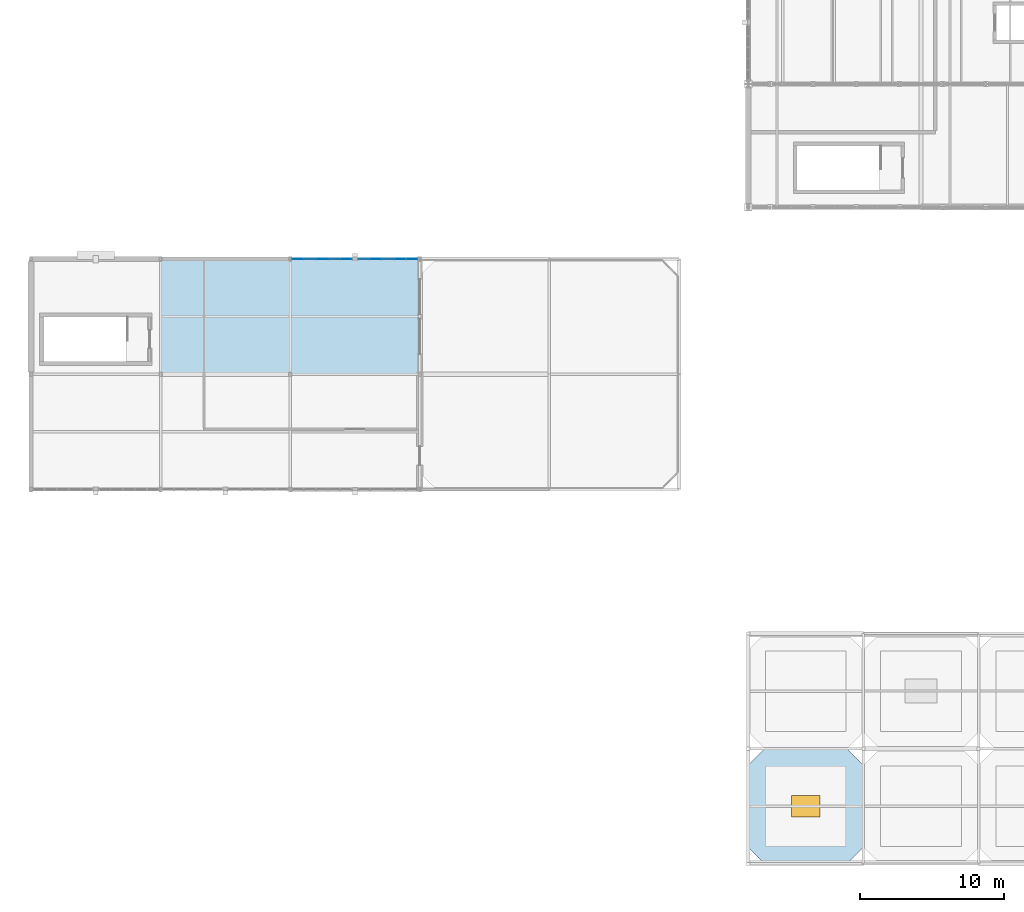
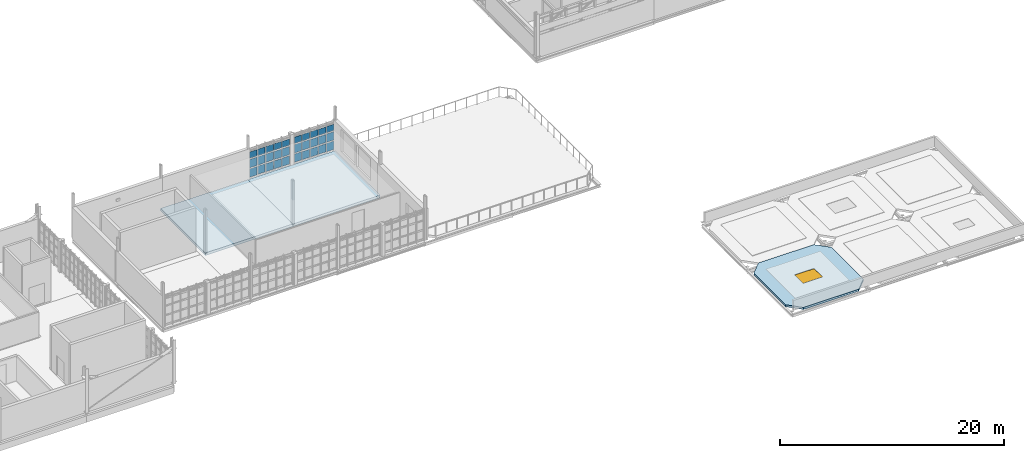
# One storey, part 94 of 128: 30 plates, 3 slabs, 1 window, 1 opening, 2 elements without a shape of their own.
"""IFC4 building model written with IfcOpenShell, lengths in metres."""

import ifcopenshell
import ifcopenshell.guid

model = None  # the IFC model being written
_history = None  # IfcOwnerHistory: only IFC2X3 demands one
_inside = {}  # id of a spatial element -> (the spatial element, [elements in it])
_under = {}  # id of a project, library or spatial element -> (it, [spatial elements below it])
_declared = {}  # id of a project -> (the project, [libraries it declares])
_typed = {}  # id of a type object -> (the type object, [elements of that type])
_made_of = {}  # id of a material, layer set ... -> (it, [elements and type objects made of it])


def new_model(schema):
    """Start an empty IFC model of exactly this schema.

    Asked for "IFC4X3", IfcOpenShell would pick the latest addendum, in which some entities
    have other attributes; the version numbers below select the first issue.
    IFC2X3 requires an IfcOwnerHistory on every rooted entity: one is made here for all.
    """
    global model, _history
    if schema == "IFC4X3":
        model = ifcopenshell.file(schema_version=(4, 3, 0, 0))
    else:
        model = ifcopenshell.file(schema=schema)
    _inside.clear()
    _under.clear()
    _declared.clear()
    _typed.clear()
    _made_of.clear()
    _history = None
    if model.schema == "IFC2X3":
        org = make("IfcOrganization", Name="unknown")
        user = make(
            "IfcPersonAndOrganization",
            ThePerson=make("IfcPerson", FamilyName="unknown"),
            TheOrganization=org,
        )
        app = make(
            "IfcApplication",
            ApplicationDeveloper=org,
            Version="unknown",
            ApplicationFullName="unknown",
            ApplicationIdentifier="unknown",
        )
        _history = make(
            "IfcOwnerHistory",
            OwningUser=user,
            OwningApplication=app,
            ChangeAction="ADDED",
            CreationDate=0,
        )
    return model


def make(cls, **values):
    """One entity of the class cls with the attributes given. An attribute that is None is left unset."""
    return model.create_entity(
        cls, **{name: value for name, value in values.items() if value is not None}
    )


def rooted(cls, **values):
    """An entity with a GlobalId (a new one), such as an element, a storey or a relation."""
    return make(cls, GlobalId=ifcopenshell.guid.new(), OwnerHistory=_history, **values)


def si_unit(unit_type, name, prefix=None):
    """IfcSIUnit, for example si_unit("LENGTHUNIT", "METRE", prefix="MILLI")."""
    return make("IfcSIUnit", UnitType=unit_type, Prefix=prefix, Name=name)


def assignment(units):
    """IfcUnitAssignment: the units of a project."""
    return None if units is None else make("IfcUnitAssignment", Units=units)


def point(xyz):
    """IfcCartesianPoint."""
    return None if xyz is None else make("IfcCartesianPoint", Coordinates=xyz)


def direction(xyz):
    """IfcDirection."""
    return None if xyz is None else make("IfcDirection", DirectionRatios=xyz)


def frame(location, z_axis=None, x_axis=None):
    """IfcAxis2Placement3D, a coordinate frame: its origin and axes. An axis left out is left unset."""
    return make(
        "IfcAxis2Placement3D",
        Location=point(location),
        Axis=direction(z_axis),
        RefDirection=direction(x_axis),
    )


def frame_2d(location, x_axis=None):
    """IfcAxis2Placement2D, a coordinate frame in the plane: its origin and x axis."""
    return make(
        "IfcAxis2Placement2D", Location=point(location), RefDirection=direction(x_axis)
    )


def origin():
    """The frame at (0, 0, 0) with its axes left unset."""
    return frame((0.0, 0.0, 0.0))


def origin_2d():
    """The frame at (0, 0) in the plane with its x axis left unset."""
    return frame_2d((0.0, 0.0))


def place(relative_to, where):
    """IfcLocalPlacement: puts the frame where relative to a parent placement (None: the world)."""
    return make(
        "IfcLocalPlacement", PlacementRelTo=relative_to, RelativePlacement=where
    )


def context(
    kind, dimensions, precision=None, world=None, true_north=None, identifier=None
):
    """IfcGeometricRepresentationContext, for example the 3D "Model" context."""
    return make(
        "IfcGeometricRepresentationContext",
        ContextIdentifier=identifier,
        ContextType=kind,
        CoordinateSpaceDimension=dimensions,
        Precision=precision,
        WorldCoordinateSystem=world,
        TrueNorth=true_north,
    )


def subcontext(parent, identifier, kind, view, scale=None):
    """IfcGeometricRepresentationSubContext, for example "Body" below "Model"."""
    return make(
        "IfcGeometricRepresentationSubContext",
        ContextIdentifier=identifier,
        ContextType=kind,
        ParentContext=parent,
        TargetScale=scale,
        TargetView=view,
    )


def project(units=None, contexts=None):
    """IfcProject with its units and contexts."""
    return rooted(
        "IfcProject",
        Name="project",
        RepresentationContexts=contexts,
        UnitsInContext=assignment(units),
    )


def spatial(cls, under=None, at=None, **own):
    """A site, building, storey or space (cls), placed at a placement, below another one or the project."""
    s = rooted(cls, ObjectPlacement=at, **own)
    if under is not None:
        _under.setdefault(under.id(), (under, []))[1].append(s)
    return s


def polyline(points):
    """IfcPolyline through the points."""
    return make("IfcPolyline", Points=[point(p) for p in points])


def profile(cls, at=None, kind="AREA", **sizes):
    """A parametric profile (cls). Its sizes go by their IFC names, for example OverallWidth=200.0."""
    return make(cls, ProfileType=kind, Position=at, **sizes)


def rectangle(**sizes):
    """IfcRectangleProfileDef."""
    return profile("IfcRectangleProfileDef", **sizes)


def outline(outer, holes=None, kind="AREA"):
    """IfcArbitraryClosedProfileDef: a profile drawn as a closed curve; with holes, ...WithVoids."""
    if holes is None:
        return make("IfcArbitraryClosedProfileDef", ProfileType=kind, OuterCurve=outer)
    return make(
        "IfcArbitraryProfileDefWithVoids",
        ProfileType=kind,
        OuterCurve=outer,
        InnerCurves=holes,
    )


def extrude(swept, where, along, depth):
    """IfcExtrudedAreaSolid: the profile swept, set in the frame where, extruded along a direction by depth."""
    return make(
        "IfcExtrudedAreaSolid",
        SweptArea=swept,
        Position=where,
        ExtrudedDirection=direction(along),
        Depth=depth,
    )


def shape(context_of_items, identifier, shape_type, items):
    """IfcShapeRepresentation: the items that make up one representation, for example the "Body"."""
    return make(
        "IfcShapeRepresentation",
        ContextOfItems=context_of_items,
        RepresentationIdentifier=identifier,
        RepresentationType=shape_type,
        Items=items,
    )


def material(Name=None, Category=None):
    """IfcMaterial."""
    return make("IfcMaterial", Name=Name, Category=Category)


def layer(
    of_material, thickness, ventilated=None, Name=None, Category=None, Priority=None
):
    """IfcMaterialLayer: one layer of a wall or slab, of a material (None: an air gap)."""
    return make(
        "IfcMaterialLayer",
        Material=of_material,
        LayerThickness=thickness,
        IsVentilated=ventilated,
        Name=Name,
        Category=Category,
        Priority=Priority,
    )


def layer_set(layers, Name=None):
    """IfcMaterialLayerSet."""
    return make("IfcMaterialLayerSet", MaterialLayers=layers, LayerSetName=Name)


def made_of(thing, what):
    """Note that an element or type object is made of a material, layer set ...; save() writes the relation."""
    if what is not None:
        _made_of.setdefault(what.id(), (what, []))[1].append(thing)
    return thing


def type_object(cls, material=None, **own):
    """A type object (cls), such as IfcWallType, which elements share."""
    return made_of(rooted(cls, **own), material)


def element(
    cls,
    number,
    at=None,
    inside=None,
    cuts=None,
    type_object=None,
    material=None,
    context=None,
    identifier="Body",
    shape_type=None,
    held_by="IfcProductDefinitionShape",
    body=None,
    shapes=None,
    **own,
):
    """One element of the class cls, such as IfcWall. Its Tag is "e" and its number.

    at: its placement. inside: the storey or other place that contains it. cuts: it is an
    opening in that element (IfcRelVoidsElement). A single representation is given by context,
    identifier, shape_type and body (its items); several are given by shapes. held_by: the class
    of the entity that holds the representations. save() writes the other relations.
    """
    e = rooted(cls, Tag="e%d" % number, ObjectPlacement=at, **own)
    if body is not None:
        shapes = [shape(context, identifier, shape_type, body)]
    if shapes is not None:
        e.Representation = make(held_by, Representations=shapes)
    if inside is not None:
        _inside.setdefault(inside.id(), (inside, []))[1].append(e)
    if cuts is not None:
        rooted(
            "IfcRelVoidsElement", RelatingBuildingElement=cuts, RelatedOpeningElement=e
        )
    if type_object is not None:
        _typed.setdefault(type_object.id(), (type_object, []))[1].append(e)
    return made_of(e, material)


def fill(opening, filler):
    """IfcRelFillsElement: the door or window that sits in an opening."""
    return rooted(
        "IfcRelFillsElement",
        RelatingOpeningElement=opening,
        RelatedBuildingElement=filler,
    )


def aggregate(whole, parts):
    """IfcRelAggregates: a whole, such as a stair, and the parts it consists of."""
    return rooted("IfcRelAggregates", RelatingObject=whole, RelatedObjects=parts)


def save(model, path):
    """Write the relations noted so far, then the file.

    IfcRelAggregates (storeys below a building ...), IfcRelContainedInSpatialStructure (elements
    in a storey), IfcRelDefinesByType, IfcRelAssociatesMaterial and IfcRelDeclares: one each for
    every whole, place, type object, material and project.
    """
    for whole, parts in _under.values():
        aggregate(whole, parts)
    for where, things in _inside.values():
        rooted(
            "IfcRelContainedInSpatialStructure",
            RelatedElements=things,
            RelatingStructure=where,
        )
    for kind, things in _typed.values():
        rooted("IfcRelDefinesByType", RelatedObjects=things, RelatingType=kind)
    for what, things in _made_of.values():
        rooted("IfcRelAssociatesMaterial", RelatedObjects=things, RelatingMaterial=what)
    for by, libraries in _declared.values():
        rooted("IfcRelDeclares", RelatingContext=by, RelatedDefinitions=libraries)
    model.write(path)


model = new_model("IFC4")

# Units and contexts
model_context = context("Model", 3, precision=1e-05, world=origin(), true_north=direction((0.0, 1.0)))
body_context = subcontext(model_context, "Body", "Model", "MODEL_VIEW")
ifc_project = project(units=[si_unit("LENGTHUNIT", "METRE"), si_unit("AREAUNIT", "SQUARE_METRE"), si_unit("VOLUMEUNIT", "CUBIC_METRE"), si_unit("PLANEANGLEUNIT", "RADIAN"), si_unit("MASSUNIT", "GRAM", prefix="KILO")], contexts=[model_context])

# Site, building, storey
site_placement = place(None, origin())
site = spatial("IfcSite", under=ifc_project, at=site_placement, CompositionType="ELEMENT")
building_placement = place(site_placement, origin())
building = spatial("IfcBuilding", under=site, at=building_placement, Name="Serraforn Aerial Cableway Station", CompositionType="ELEMENT")
storey_placement = place(building_placement, frame((0.0, 0.0, 9.0)))
storey = spatial("IfcBuildingStorey", under=building, at=storey_placement, Name="L02", CompositionType="ELEMENT", Elevation=9.0)

# Curtain wall, plate
ifc_material_1 = material(Name="Anodised bronze unitised curtain wall")
curtain_wall_type_1 = type_object("IfcCurtainWallType", Name="CW-SYS-2", PredefinedType="USERDEFINED", material=ifc_material_1)
curtain_wall_1_placement = place(storey_placement, origin())
curtain_wall_1 = element("IfcCurtainWall", 1, at=curtain_wall_1_placement, inside=storey, type_object=curtain_wall_type_1, Name="Unitised Curtain Wall CW-EL-L02-N3B", ObjectType="UNITISED CURTAIN WALL", PredefinedType="USERDEFINED")
ifc_material_2 = material(Name="Solar-control low-E double glazing", Category="glass")
ifc_layer_1 = layer(ifc_material_2, 0.02587890625)
ifc_layer_set_1 = layer_set([ifc_layer_1], Name="Solar-control low-E double glazing")
plate_type_1 = type_object("IfcPlateType", Name="CW-GLZ-1", PredefinedType="CURTAIN_PANEL", material=ifc_layer_set_1)
plate_1_placement = place(storey_placement, frame((112.72900390625, 42.0, 2.25439453125), z_axis=(0.0, 0.0, 1.0), x_axis=(1.0, 0.0, 0.0)))
plate_1 = element("IfcPlate", 2, at=plate_1_placement, type_object=plate_type_1, Name="Curtain Wall Panel CW-EL-L02-N3B-P5-3", PredefinedType="CURTAIN_PANEL", context=body_context, shape_type="SweptSolid", body=[
    extrude(rectangle(XDim=0.755859375, YDim=0.02587890625, at=origin_2d()), origin(), (0.0, 0.0, 1.0), 0.682373046875),
])

# Curtain wall, plates
curtain_wall_type_2 = type_object("IfcCurtainWallType", Name="CW-SYS-1", PredefinedType="USERDEFINED", material=ifc_material_1)
curtain_wall_2_placement = place(storey_placement, origin())
curtain_wall_2 = element("IfcCurtainWall", 3, at=curtain_wall_2_placement, inside=storey, type_object=curtain_wall_type_2, Name="Unitised Curtain Wall CW-EL-L02-N3A", ObjectType="UNITISED CURTAIN WALL", PredefinedType="USERDEFINED")
ifc_layer_2 = layer(ifc_material_2, 0.028076171875)
ifc_layer_set_2 = layer_set([ifc_layer_2], Name="Solar-control low-E double glazing")
plate_type_2 = type_object("IfcPlateType", Name="CW-GLZ-2", PredefinedType="CURTAIN_PANEL", material=ifc_layer_set_2)
plate_2_placement = place(storey_placement, frame((120.656005859375, 42.0, 0.189697265625), z_axis=(0.0, 0.0, 1.0), x_axis=(1.0, 0.0, 0.0)))
plate_2 = element("IfcPlate", 4, at=plate_2_placement, type_object=plate_type_2, Name="Curtain Wall Panel CW-EL-L02-N3A-P1-1", PredefinedType="CURTAIN_PANEL", context=body_context, shape_type="SweptSolid", body=[
    extrude(rectangle(XDim=0.745849609375, YDim=0.028076171875, at=origin_2d()), origin(), (0.0, 0.0, 1.0), 0.9150390625),
])
ifc_layer_3 = layer(ifc_material_2, 0.030029296875)
ifc_layer_set_3 = layer_set([ifc_layer_3], Name="Solar-control low-E double glazing")
plate_type_3 = type_object("IfcPlateType", Name="CW-GLZ-3", PredefinedType="CURTAIN_PANEL", material=ifc_layer_set_3)
plate_3_placement = place(storey_placement, frame((120.656005859375, 42.0, 1.220703125), z_axis=(0.0, 0.0, 1.0), x_axis=(1.0, 0.0, 0.0)))
plate_3 = element("IfcPlate", 5, at=plate_3_placement, type_object=plate_type_3, Name="Curtain Wall Panel CW-EL-L02-N3A-P1-2", PredefinedType="CURTAIN_PANEL", context=body_context, shape_type="SweptSolid", body=[
    extrude(rectangle(XDim=0.745849609375, YDim=0.030029296875, at=origin_2d()), origin(), (0.0, 0.0, 1.0), 0.902587890625),
])
plate_4_placement = place(storey_placement, frame((119.836669921875, 42.0, 0.19482421875), z_axis=(0.0, 0.0, 1.0), x_axis=(1.0, 0.0, 0.0)))
plate_4 = element("IfcPlate", 6, at=plate_4_placement, type_object=plate_type_3, Name="Curtain Wall Panel CW-EL-L02-N3A-P2-1", PredefinedType="CURTAIN_PANEL", context=body_context, shape_type="SweptSolid", body=[
    extrude(rectangle(XDim=0.791015625, YDim=0.030029296875, at=origin_2d()), origin(), (0.0, 0.0, 1.0), 0.902587890625),
])

# Plate
plate_5_placement = place(storey_placement, frame((116.085205078125, 42.0, 0.19482421875), z_axis=(0.0, 0.0, 1.0), x_axis=(1.0, 0.0, 0.0)))
plate_5 = element("IfcPlate", 7, at=plate_5_placement, type_object=plate_type_3, Name="Curtain Wall Panel CW-EL-L02-N3B-P1-1", PredefinedType="CURTAIN_PANEL", context=body_context, shape_type="SweptSolid", body=[
    extrude(rectangle(XDim=0.763427734375, YDim=0.030029296875, at=origin_2d()), origin(), (0.0, 0.0, 1.0), 0.902587890625),
])

ifc_layer_4 = layer(ifc_material_2, 0.031982421875)
ifc_layer_set_4 = layer_set([ifc_layer_4], Name="Solar-control low-E double glazing")
plate_type_4 = type_object("IfcPlateType", Name="CW-GLZ-4", PredefinedType="CURTAIN_PANEL", material=ifc_layer_set_4)
plate_6_placement = place(storey_placement, frame((120.656005859375, 42.0, 2.25439453125), z_axis=(0.0, 0.0, 1.0), x_axis=(1.0, 0.0, 0.0)))
plate_6 = element("IfcPlate", 8, at=plate_6_placement, type_object=plate_type_4, Name="Curtain Wall Panel CW-EL-L02-N3A-P1-3", PredefinedType="CURTAIN_PANEL", context=body_context, shape_type="SweptSolid", body=[
    extrude(rectangle(XDim=0.745849609375, YDim=0.031982421875, at=origin_2d()), origin(), (0.0, 0.0, 1.0), 0.682373046875),
])

plate_7_placement = place(storey_placement, frame((119.836669921875, 42.0, 1.228515625), z_axis=(0.0, 0.0, 1.0), x_axis=(1.0, 0.0, 0.0)))
plate_7 = element("IfcPlate", 9, at=plate_7_placement, type_object=plate_type_4, Name="Curtain Wall Panel CW-EL-L02-N3A-P2-2", PredefinedType="CURTAIN_PANEL", context=body_context, shape_type="SweptSolid", body=[
    extrude(rectangle(XDim=0.791015625, YDim=0.031982421875, at=origin_2d()), origin(), (0.0, 0.0, 1.0), 0.887451171875),
])

plate_8_placement = place(storey_placement, frame((118.9921875, 42.0, 0.2021484375), z_axis=(0.0, 0.0, 1.0), x_axis=(1.0, 0.0, 0.0)))
plate_8 = element("IfcPlate", 10, at=plate_8_placement, type_object=plate_type_4, Name="Curtain Wall Panel CW-EL-L02-N3A-P3-1", PredefinedType="CURTAIN_PANEL", context=body_context, shape_type="SweptSolid", body=[
    extrude(rectangle(XDim=0.785888671875, YDim=0.031982421875, at=origin_2d()), origin(), (0.0, 0.0, 1.0), 0.887451171875),
])

plate_9_placement = place(storey_placement, frame((116.085205078125, 42.0, 1.228515625), z_axis=(0.0, 0.0, 1.0), x_axis=(1.0, 0.0, 0.0)))
plate_9 = element("IfcPlate", 11, at=plate_9_placement, type_object=plate_type_4, Name="Curtain Wall Panel CW-EL-L02-N3B-P1-2", PredefinedType="CURTAIN_PANEL", context=body_context, shape_type="SweptSolid", body=[
    extrude(rectangle(XDim=0.763427734375, YDim=0.031982421875, at=origin_2d()), origin(), (0.0, 0.0, 1.0), 0.887451171875),
])

plate_10_placement = place(storey_placement, frame((115.254638671875, 42.0, 0.2021484375), z_axis=(0.0, 0.0, 1.0), x_axis=(1.0, 0.0, 0.0)))
plate_10 = element("IfcPlate", 12, at=plate_10_placement, type_object=plate_type_4, Name="Curtain Wall Panel CW-EL-L02-N3B-P2-1", PredefinedType="CURTAIN_PANEL", context=body_context, shape_type="SweptSolid", body=[
    extrude(rectangle(XDim=0.785888671875, YDim=0.031982421875, at=origin_2d()), origin(), (0.0, 0.0, 1.0), 0.887451171875),
])

ifc_layer_5 = layer(ifc_material_2, 0.033935546875)
ifc_layer_set_5 = layer_set([ifc_layer_5], Name="Solar-control low-E double glazing")
plate_type_5 = type_object("IfcPlateType", Name="CW-GLZ-5", PredefinedType="CURTAIN_PANEL", material=ifc_layer_set_5)
plate_11_placement = place(storey_placement, frame((119.836669921875, 42.0, 2.26171875), z_axis=(0.0, 0.0, 1.0), x_axis=(1.0, 0.0, 0.0)))
plate_11 = element("IfcPlate", 13, at=plate_11_placement, type_object=plate_type_5, Name="Curtain Wall Panel CW-EL-L02-N3A-P2-3", PredefinedType="CURTAIN_PANEL", context=body_context, shape_type="SweptSolid", body=[
    extrude(rectangle(XDim=0.791015625, YDim=0.033935546875, at=origin_2d()), origin(), (0.0, 0.0, 1.0), 0.667236328125),
])

plate_12_placement = place(storey_placement, frame((118.9921875, 42.0, 1.23583984375), z_axis=(0.0, 0.0, 1.0), x_axis=(1.0, 0.0, 0.0)))
plate_12 = element("IfcPlate", 14, at=plate_12_placement, type_object=plate_type_5, Name="Curtain Wall Panel CW-EL-L02-N3A-P3-2", PredefinedType="CURTAIN_PANEL", context=body_context, shape_type="SweptSolid", body=[
    extrude(rectangle(XDim=0.785888671875, YDim=0.033935546875, at=origin_2d()), origin(), (0.0, 0.0, 1.0), 0.87255859375),
])

plate_13_placement = place(storey_placement, frame((118.147705078125, 42.0, 0.209716796875), z_axis=(0.0, 0.0, 1.0), x_axis=(1.0, 0.0, 0.0)))
plate_13 = element("IfcPlate", 15, at=plate_13_placement, type_object=plate_type_5, Name="Curtain Wall Panel CW-EL-L02-N3A-P4-1", PredefinedType="CURTAIN_PANEL", context=body_context, shape_type="SweptSolid", body=[
    extrude(rectangle(XDim=0.781005859375, YDim=0.033935546875, at=origin_2d()), origin(), (0.0, 0.0, 1.0), 0.87255859375),
])

plate_14_placement = place(storey_placement, frame((116.085205078125, 42.0, 2.26171875), z_axis=(0.0, 0.0, 1.0), x_axis=(1.0, 0.0, 0.0)))
plate_14 = element("IfcPlate", 16, at=plate_14_placement, type_object=plate_type_5, Name="Curtain Wall Panel CW-EL-L02-N3B-P1-3", PredefinedType="CURTAIN_PANEL", context=body_context, shape_type="SweptSolid", body=[
    extrude(rectangle(XDim=0.763427734375, YDim=0.033935546875, at=origin_2d()), origin(), (0.0, 0.0, 1.0), 0.667236328125),
])

plate_15_placement = place(storey_placement, frame((115.254638671875, 42.0, 1.23583984375), z_axis=(0.0, 0.0, 1.0), x_axis=(1.0, 0.0, 0.0)))
plate_15 = element("IfcPlate", 17, at=plate_15_placement, type_object=plate_type_5, Name="Curtain Wall Panel CW-EL-L02-N3B-P2-2", PredefinedType="CURTAIN_PANEL", context=body_context, shape_type="SweptSolid", body=[
    extrude(rectangle(XDim=0.785888671875, YDim=0.033935546875, at=origin_2d()), origin(), (0.0, 0.0, 1.0), 0.87255859375),
])

plate_16_placement = place(storey_placement, frame((114.410400390625, 42.0, 0.209716796875), z_axis=(0.0, 0.0, 1.0), x_axis=(1.0, 0.0, 0.0)))
plate_16 = element("IfcPlate", 18, at=plate_16_placement, type_object=plate_type_5, Name="Curtain Wall Panel CW-EL-L02-N3B-P3-1", PredefinedType="CURTAIN_PANEL", context=body_context, shape_type="SweptSolid", body=[
    extrude(rectangle(XDim=0.781005859375, YDim=0.033935546875, at=origin_2d()), origin(), (0.0, 0.0, 1.0), 0.87255859375),
])

ifc_layer_6 = layer(ifc_material_2, 0.035888671875)
ifc_layer_set_6 = layer_set([ifc_layer_6], Name="Solar-control low-E double glazing")
plate_type_6 = type_object("IfcPlateType", Name="CW-GLZ-6", PredefinedType="CURTAIN_PANEL", material=ifc_layer_set_6)
plate_17_placement = place(storey_placement, frame((118.9921875, 42.0, 2.26953125), z_axis=(0.0, 0.0, 1.0), x_axis=(1.0, 0.0, 0.0)))
plate_17 = element("IfcPlate", 19, at=plate_17_placement, type_object=plate_type_6, Name="Curtain Wall Panel CW-EL-L02-N3A-P3-3", PredefinedType="CURTAIN_PANEL", context=body_context, shape_type="SweptSolid", body=[
    extrude(rectangle(XDim=0.785888671875, YDim=0.035888671875, at=origin_2d()), origin(), (0.0, 0.0, 1.0), 0.687255859375),
])

plate_18_placement = place(storey_placement, frame((118.147705078125, 42.0, 1.243408203125), z_axis=(0.0, 0.0, 1.0), x_axis=(1.0, 0.0, 0.0)))
plate_18 = element("IfcPlate", 20, at=plate_18_placement, type_object=plate_type_6, Name="Curtain Wall Panel CW-EL-L02-N3A-P4-2", PredefinedType="CURTAIN_PANEL", context=body_context, shape_type="SweptSolid", body=[
    extrude(rectangle(XDim=0.781005859375, YDim=0.035888671875, at=origin_2d()), origin(), (0.0, 0.0, 1.0), 0.892578125),
])

plate_19_placement = place(storey_placement, frame((117.322265625, 42.0, 0.21728515625), z_axis=(0.0, 0.0, 1.0), x_axis=(1.0, 0.0, 0.0)))
plate_19 = element("IfcPlate", 21, at=plate_19_placement, type_object=plate_type_6, Name="Curtain Wall Panel CW-EL-L02-N3A-P5-1", PredefinedType="CURTAIN_PANEL", context=body_context, shape_type="SweptSolid", body=[
    extrude(rectangle(XDim=0.73828125, YDim=0.035888671875, at=origin_2d()), origin(), (0.0, 0.0, 1.0), 0.892578125),
])

plate_20_placement = place(storey_placement, frame((115.254638671875, 42.0, 2.26953125), z_axis=(0.0, 0.0, 1.0), x_axis=(1.0, 0.0, 0.0)))
plate_20 = element("IfcPlate", 22, at=plate_20_placement, type_object=plate_type_6, Name="Curtain Wall Panel CW-EL-L02-N3B-P2-3", PredefinedType="CURTAIN_PANEL", context=body_context, shape_type="SweptSolid", body=[
    extrude(rectangle(XDim=0.785888671875, YDim=0.035888671875, at=origin_2d()), origin(), (0.0, 0.0, 1.0), 0.687255859375),
])

plate_21_placement = place(storey_placement, frame((114.410400390625, 42.0, 1.243408203125), z_axis=(0.0, 0.0, 1.0), x_axis=(1.0, 0.0, 0.0)))
plate_21 = element("IfcPlate", 23, at=plate_21_placement, type_object=plate_type_6, Name="Curtain Wall Panel CW-EL-L02-N3B-P3-2", PredefinedType="CURTAIN_PANEL", context=body_context, shape_type="SweptSolid", body=[
    extrude(rectangle(XDim=0.781005859375, YDim=0.035888671875, at=origin_2d()), origin(), (0.0, 0.0, 1.0), 0.892578125),
])

plate_22_placement = place(storey_placement, frame((113.56591796875, 42.0, 0.21728515625), z_axis=(0.0, 0.0, 1.0), x_axis=(1.0, 0.0, 0.0)))
plate_22 = element("IfcPlate", 24, at=plate_22_placement, type_object=plate_type_6, Name="Curtain Wall Panel CW-EL-L02-N3B-P4-1", PredefinedType="CURTAIN_PANEL", context=body_context, shape_type="SweptSolid", body=[
    extrude(rectangle(XDim=0.77587890625, YDim=0.035888671875, at=origin_2d()), origin(), (0.0, 0.0, 1.0), 0.892578125),
])

ifc_layer_7 = layer(ifc_material_2, 0.029052734375)
ifc_layer_set_7 = layer_set([ifc_layer_7], Name="Solar-control low-E double glazing")
plate_type_7 = type_object("IfcPlateType", Name="CW-GLZ-7", PredefinedType="CURTAIN_PANEL", material=ifc_layer_set_7)
plate_23_placement = place(storey_placement, frame((118.147705078125, 42.0, 2.24169921875), z_axis=(0.0, 0.0, 1.0), x_axis=(1.0, 0.0, 0.0)))
plate_23 = element("IfcPlate", 25, at=plate_23_placement, type_object=plate_type_7, Name="Curtain Wall Panel CW-EL-L02-N3A-P4-3", PredefinedType="CURTAIN_PANEL", context=body_context, shape_type="SweptSolid", body=[
    extrude(rectangle(XDim=0.781005859375, YDim=0.029052734375, at=origin_2d()), origin(), (0.0, 0.0, 1.0), 0.709716796875),
])

plate_24_placement = place(storey_placement, frame((117.322265625, 42.0, 1.2158203125), z_axis=(0.0, 0.0, 1.0), x_axis=(1.0, 0.0, 0.0)))
plate_24 = element("IfcPlate", 26, at=plate_24_placement, type_object=plate_type_7, Name="Curtain Wall Panel CW-EL-L02-N3A-P5-2", PredefinedType="CURTAIN_PANEL", context=body_context, shape_type="SweptSolid", body=[
    extrude(rectangle(XDim=0.73828125, YDim=0.029052734375, at=origin_2d()), origin(), (0.0, 0.0, 1.0), 0.9150390625),
])

plate_25_placement = place(storey_placement, frame((114.410400390625, 42.0, 2.24169921875), z_axis=(0.0, 0.0, 1.0), x_axis=(1.0, 0.0, 0.0)))
plate_25 = element("IfcPlate", 27, at=plate_25_placement, type_object=plate_type_7, Name="Curtain Wall Panel CW-EL-L02-N3B-P3-3", PredefinedType="CURTAIN_PANEL", context=body_context, shape_type="SweptSolid", body=[
    extrude(rectangle(XDim=0.781005859375, YDim=0.029052734375, at=origin_2d()), origin(), (0.0, 0.0, 1.0), 0.709716796875),
])

plate_26_placement = place(storey_placement, frame((113.56591796875, 42.0, 1.2158203125), z_axis=(0.0, 0.0, 1.0), x_axis=(1.0, 0.0, 0.0)))
plate_26 = element("IfcPlate", 28, at=plate_26_placement, type_object=plate_type_7, Name="Curtain Wall Panel CW-EL-L02-N3B-P4-2", PredefinedType="CURTAIN_PANEL", context=body_context, shape_type="SweptSolid", body=[
    extrude(rectangle(XDim=0.77587890625, YDim=0.029052734375, at=origin_2d()), origin(), (0.0, 0.0, 1.0), 0.9150390625),
])

plate_27_placement = place(storey_placement, frame((112.72900390625, 42.0, 0.189697265625), z_axis=(0.0, 0.0, 1.0), x_axis=(1.0, 0.0, 0.0)))
plate_27 = element("IfcPlate", 29, at=plate_27_placement, type_object=plate_type_7, Name="Curtain Wall Panel CW-EL-L02-N3B-P5-1", PredefinedType="CURTAIN_PANEL", context=body_context, shape_type="SweptSolid", body=[
    extrude(rectangle(XDim=0.755859375, YDim=0.029052734375, at=origin_2d()), origin(), (0.0, 0.0, 1.0), 0.9150390625),
])

ifc_layer_8 = layer(ifc_material_2, 0.031005859375)
ifc_layer_set_8 = layer_set([ifc_layer_8], Name="Solar-control low-E double glazing")
plate_type_8 = type_object("IfcPlateType", Name="CW-GLZ-8", PredefinedType="CURTAIN_PANEL", material=ifc_layer_set_8)
plate_28_placement = place(storey_placement, frame((117.322265625, 42.0, 2.246826171875), z_axis=(0.0, 0.0, 1.0), x_axis=(1.0, 0.0, 0.0)))
plate_28 = element("IfcPlate", 30, at=plate_28_placement, type_object=plate_type_8, Name="Curtain Wall Panel CW-EL-L02-N3A-P5-3", PredefinedType="CURTAIN_PANEL", context=body_context, shape_type="SweptSolid", body=[
    extrude(rectangle(XDim=0.73828125, YDim=0.031005859375, at=origin_2d()), origin(), (0.0, 0.0, 1.0), 0.697265625),
])

aggregate(curtain_wall_2, [plate_2, plate_3, plate_6, plate_4, plate_7, plate_11, plate_8, plate_12, plate_17, plate_13, plate_18, plate_23, plate_19, plate_24, plate_28])

plate_29_placement = place(storey_placement, frame((113.56591796875, 42.0, 2.246826171875), z_axis=(0.0, 0.0, 1.0), x_axis=(1.0, 0.0, 0.0)))
plate_29 = element("IfcPlate", 31, at=plate_29_placement, type_object=plate_type_8, Name="Curtain Wall Panel CW-EL-L02-N3B-P4-3", PredefinedType="CURTAIN_PANEL", context=body_context, shape_type="SweptSolid", body=[
    extrude(rectangle(XDim=0.77587890625, YDim=0.031005859375, at=origin_2d()), origin(), (0.0, 0.0, 1.0), 0.697265625),
])

plate_30_placement = place(storey_placement, frame((112.72900390625, 42.0, 1.220703125), z_axis=(0.0, 0.0, 1.0), x_axis=(1.0, 0.0, 0.0)))
plate_30 = element("IfcPlate", 32, at=plate_30_placement, type_object=plate_type_8, Name="Curtain Wall Panel CW-EL-L02-N3B-P5-2", PredefinedType="CURTAIN_PANEL", context=body_context, shape_type="SweptSolid", body=[
    extrude(rectangle(XDim=0.755859375, YDim=0.031005859375, at=origin_2d()), origin(), (0.0, 0.0, 1.0), 0.902587890625),
])

aggregate(curtain_wall_1, [plate_5, plate_9, plate_14, plate_10, plate_15, plate_20, plate_16, plate_21, plate_25, plate_22, plate_26, plate_29, plate_27, plate_30, plate_1])

# Slabs
ifc_material_3 = material(Name="Concrete C35/45", Category="concrete")
ifc_layer_9 = layer(ifc_material_3, 0.27490234375)
ifc_layer_set_9 = layer_set([ifc_layer_9], Name="Concrete C35/45")
slab_type_1 = type_object("IfcSlabType", Name="SLB-FLR-275", PredefinedType="FLOOR", material=ifc_layer_set_9)
slab_1_placement = place(storey_placement, frame((0.0, 0.0, -0.27490234375)))
element("IfcSlab", 33, at=slab_1_placement, inside=storey, type_object=slab_type_1, Name="Floor Slab EL-L02-2-2", PredefinedType="FLOOR", context=body_context, shape_type="SweptSolid", body=[
    extrude(outline(polyline([(103.199951171875, 34.0), (112.199951171875, 34.0), (112.199951171875, 42.0), (103.199951171875, 42.0), (103.199951171875, 34.0)])), origin(), (0.0, 0.0, 1.0), 0.27490234375),
])
slab_2_placement = place(storey_placement, frame((0.0, 0.0, -0.27490234375)))
element("IfcSlab", 34, at=slab_2_placement, inside=storey, type_object=slab_type_1, Name="Floor Slab EL-L02-3-2", PredefinedType="FLOOR", context=body_context, shape_type="SweptSolid", body=[
    extrude(outline(polyline([(112.199951171875, 34.0), (121.199951171875, 34.0), (121.199951171875, 42.0), (112.199951171875, 42.0), (112.199951171875, 34.0)])), origin(), (0.0, 0.0, 1.0), 0.27490234375),
])

# Slab, opening, window
ifc_layer_10 = layer(ifc_material_3, 0.22509765625)
ifc_layer_set_10 = layer_set([ifc_layer_10], Name="Concrete C35/45")
slab_type_2 = type_object("IfcSlabType", Name="SLB-ROOF-225", PredefinedType="ROOF", material=ifc_layer_set_10)
slab_3_placement = place(storey_placement, frame((0.0, 0.0, -0.22509765625)))
slab_3 = element("IfcSlab", 35, at=slab_3_placement, inside=storey, type_object=slab_type_2, Name="Roof Slab ES-L02-1-1", PredefinedType="ROOF", context=body_context, shape_type="SweptSolid", body=[
    extrude(outline(polyline([(145.14990234375, 0.0), (150.85009765625, 0.0), (152.0, 1.14990234375), (152.0, 6.85009765625), (150.85009765625, 8.0), (145.14990234375, 8.0), (144.0, 6.85009765625), (144.0, 1.14990234375), (145.14990234375, 0.0)]), holes=[polyline([(147.001953125, 3.251953125), (148.998046875, 3.251953125), (148.998046875, 4.748046875), (147.001953125, 4.748046875), (147.001953125, 3.251953125)])]), origin(), (0.0, 0.0, 1.0), 0.22509765625),
])
opening_placement = place(slab_3_placement, frame((148.0, 4.0, -0.010009765625)))
opening = element("IfcOpeningElement", 36, at=opening_placement, cuts=slab_3, Name="Opening SK-03", PredefinedType="OPENING", context=body_context, shape_type="SweptSolid", body=[
    extrude(rectangle(XDim=2.0, YDim=1.5, at=origin_2d()), origin(), (0.0, 0.0, 1.0), 0.2451171875),
])
ifc_material_4 = material(Name="Double low-E laminated safety glass", Category="glass")
window_type = type_object("IfcWindowType", Name="WIN-SKY-3", PartitioningType="SINGLE_PANEL", PredefinedType="SKYLIGHT", material=ifc_material_4)
window_placement = place(slab_3_placement, frame((148.0, 4.0, 0.175048828125)))
window = element("IfcWindow", 37, at=window_placement, inside=storey, type_object=window_type, Name="Roof Skylight ES-L02-1-1", OverallHeight=1.5, OverallWidth=2.0, PartitioningType="SINGLE_PANEL", PredefinedType="SKYLIGHT", context=body_context, shape_type="SweptSolid", body=[
    extrude(rectangle(XDim=2.0, YDim=1.5, at=origin_2d()), origin(), (0.0, 0.0, 1.0), 0.050048828125),
])
fill(opening, window)

save(model, "model.ifc")
